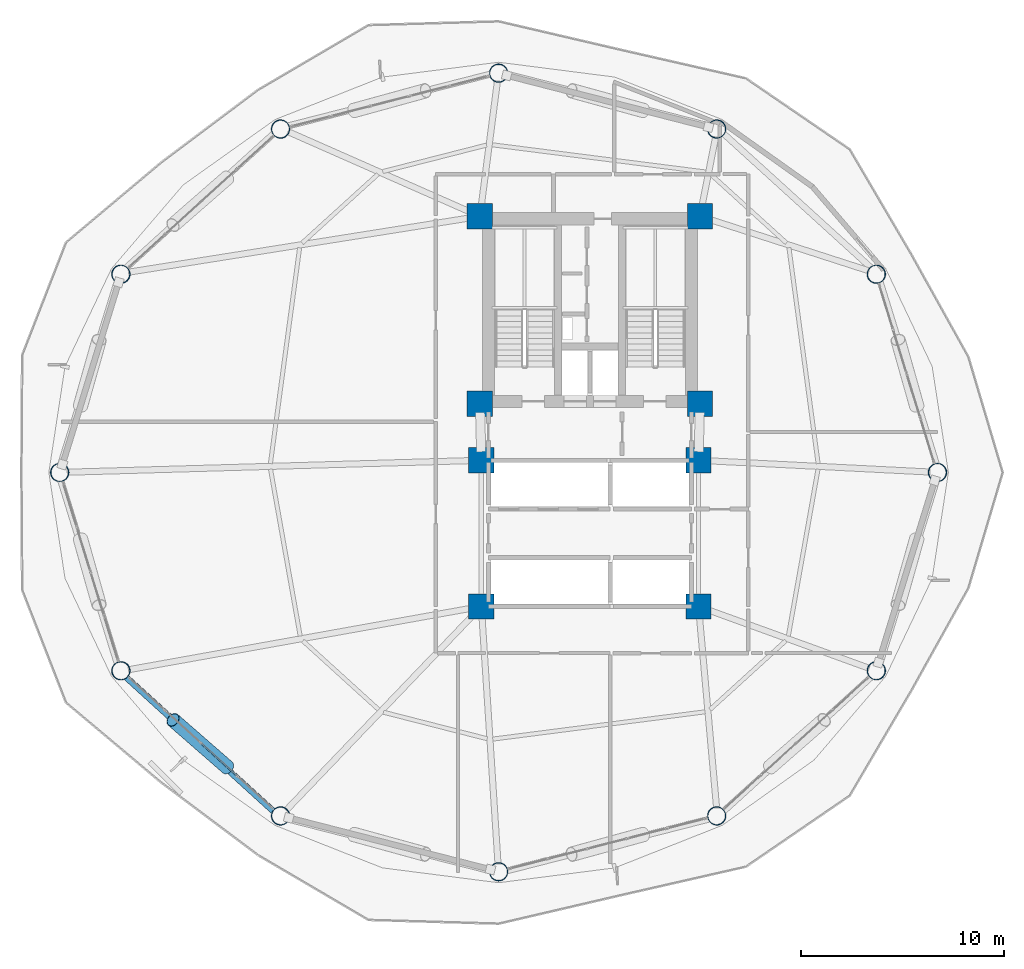
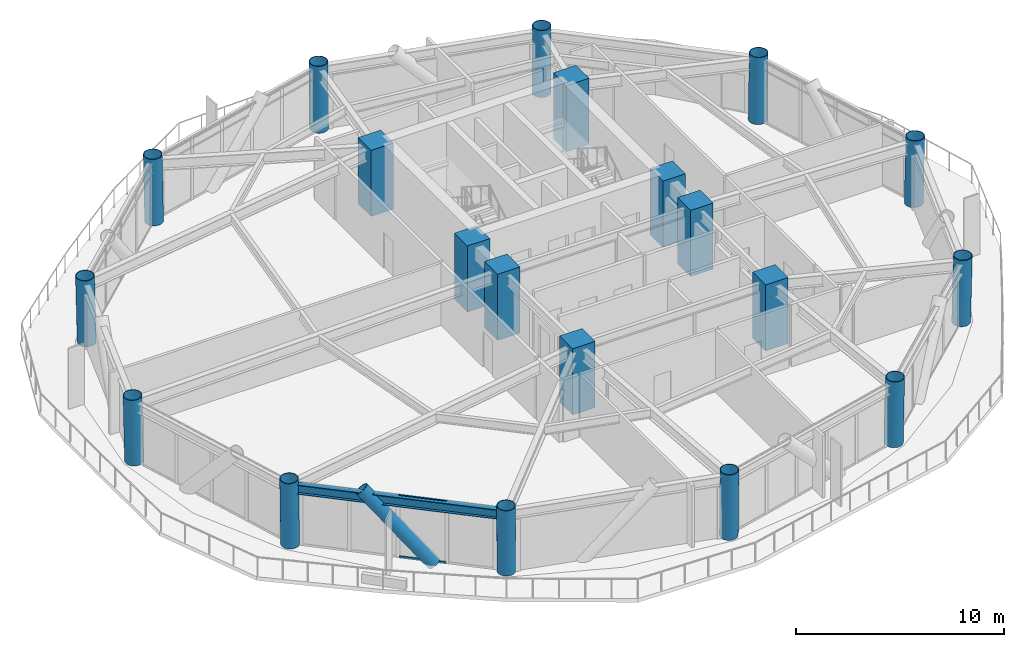
# One storey, part 1 of 22: 20 columns, 3 members, 1 beam, 1 element without a shape of its own.
"""IFC4 building model written with IfcOpenShell, lengths in metres."""

from ifc_helpers import new_model, si_unit, direction, frame, origin, origin_2d, place, context, subcontext, project, spatial, rectangle, hollow_rectangle, hollow_circle, i_section, extrude, material, layer, layer_set, material_profile, profile_set, type_object, element, aggregate, save


model = new_model("IFC4")

# Units and contexts
model_context = context("Model", 3, precision=1e-05, world=origin(), true_north=direction((0.0, 1.0)))
body_context = subcontext(model_context, "Body", "Model", "MODEL_VIEW")
ifc_project = project(units=[si_unit("LENGTHUNIT", "METRE"), si_unit("AREAUNIT", "SQUARE_METRE"), si_unit("VOLUMEUNIT", "CUBIC_METRE"), si_unit("PLANEANGLEUNIT", "RADIAN"), si_unit("MASSUNIT", "GRAM", prefix="KILO")], contexts=[model_context])

# Site, building, storey
site_placement = place(None, origin())
site = spatial("IfcSite", under=ifc_project, at=site_placement, CompositionType="ELEMENT")
building_placement = place(site_placement, origin())
building = spatial("IfcBuilding", under=site, at=building_placement, Name="Varnakorn Sky Granary", CompositionType="ELEMENT")
storey_placement = place(building_placement, frame((0.0, 0.0, 66.60009765625)))
storey = spatial("IfcBuildingStorey", under=building, at=storey_placement, Name="L16", CompositionType="ELEMENT", Elevation=66.60009765625)

# Columns
ifc_material_1 = material(Name="Steel S460M", Category="steel")
ifc_material_profile_1 = material_profile(ifc_material_1, hollow_circle(Radius=0.45703125, WallThickness=0.031982421875, at=origin_2d()), Name="CHS 914x32")
ifc_profile_set_1 = profile_set([ifc_material_profile_1], Name="Steel S460M")
column_type_1 = type_object("IfcColumnType", Name="COL-DC-Z1", PredefinedType="COLUMN", material=ifc_profile_set_1)
column_1_placement = place(storey_placement, frame((20.10888671875, 0.0, 0.0), z_axis=(0.021983093597, 0.0, 0.999758342599), x_axis=(0.0, 1.0, 0.0)))
element("IfcColumn", 1, at=column_1_placement, inside=storey, type_object=column_type_1, Name="Drum Perimeter Column DC01 L16", PredefinedType="COLUMN", context=body_context, shape_type="SweptSolid", body=[
    extrude(hollow_circle(Radius=0.45703125, WallThickness=0.031982421875, at=origin_2d()), origin(), (0.0, 0.0, 1.0), 3.8759765625),
])
for number, where, z_axis, x_axis, name in (
    (2, (17.096923828125, 9.763427734375, 0.0), (0.019023055664, 0.008692654575, 0.99978125663), (-0.415617405126, 0.909539538754, 0.0), "Drum Perimeter Column DC02 L16"),
    (3, (9.237060546875, 16.910888671875, 0.0), (0.010960810874, 0.014992373494, 0.999827529808), (-0.807266811826, 0.590186660747, 0.0), "Drum Perimeter Column DC03 L16"),
):
    element("IfcColumn", number, at=place(storey_placement, frame(where, z_axis=z_axis, x_axis=x_axis)), inside=storey, type_object=column_type_1, Name=name, PredefinedType="COLUMN", context=body_context, shape_type="SweptSolid", body=[
        extrude(hollow_circle(Radius=0.45703125, WallThickness=0.031982421875, at=origin_2d()), origin(), (0.0, 0.0, 1.0), 3.875732421875),
    ])
column_2_placement = place(storey_placement, frame((-1.5, 19.662109375, 0.0), z_axis=(0.0, 0.017260533083, 0.999851025902), x_axis=(-1.0, 0.0, 0.0)))
element("IfcColumn", 4, at=column_2_placement, inside=storey, type_object=column_type_1, Name="Drum Perimeter Column DC04 L16", PredefinedType="COLUMN", context=body_context, shape_type="SweptSolid", body=[
    extrude(hollow_circle(Radius=0.45703125, WallThickness=0.031982421875, at=origin_2d()), origin(), (0.0, 0.0, 1.0), 3.87548828125),
])
for number, where, z_axis, x_axis, name in (
    (5, (-12.237060546875, 16.910888671875, 0.0), (-0.010960810874, 0.014992373494, 0.999827529808), (-0.807266811826, -0.590186660747, 0.0), "Drum Perimeter Column DC05 L16"),
    (6, (-20.096923828125, 9.763427734375, 0.0), (-0.019023055664, 0.008692654575, 0.99978125663), (-0.415617405126, -0.909539538754, 0.0), "Drum Perimeter Column DC06 L16"),
):
    element("IfcColumn", number, at=place(storey_placement, frame(where, z_axis=z_axis, x_axis=x_axis)), inside=storey, type_object=column_type_1, Name=name, PredefinedType="COLUMN", context=body_context, shape_type="SweptSolid", body=[
        extrude(hollow_circle(Radius=0.45703125, WallThickness=0.031982421875, at=origin_2d()), origin(), (0.0, 0.0, 1.0), 3.875732421875),
    ])
column_3_placement = place(storey_placement, frame((-23.10888671875, 0.0, 0.0), z_axis=(-0.021983093597, 0.0, 0.999758342599), x_axis=(0.0, -1.0, 0.0)))
element("IfcColumn", 7, at=column_3_placement, inside=storey, type_object=column_type_1, Name="Drum Perimeter Column DC07 L16", PredefinedType="COLUMN", context=body_context, shape_type="SweptSolid", body=[
    extrude(hollow_circle(Radius=0.45703125, WallThickness=0.031982421875, at=origin_2d()), origin(), (0.0, 0.0, 1.0), 3.8759765625),
])
for number, where, z_axis, x_axis, name in (
    (8, (-20.096923828125, -9.763427734375, 0.0), (-0.019023055664, -0.008692654575, 0.99978125663), (0.415617405126, -0.909539538754, 0.0), "Drum Perimeter Column DC08 L16"),
    (9, (-12.237060546875, -16.910888671875, 0.0), (-0.010960810874, -0.014992373494, 0.999827529808), (0.807266811826, -0.590186660747, 0.0), "Drum Perimeter Column DC09 L16"),
):
    element("IfcColumn", number, at=place(storey_placement, frame(where, z_axis=z_axis, x_axis=x_axis)), inside=storey, type_object=column_type_1, Name=name, PredefinedType="COLUMN", context=body_context, shape_type="SweptSolid", body=[
        extrude(hollow_circle(Radius=0.45703125, WallThickness=0.031982421875, at=origin_2d()), origin(), (0.0, 0.0, 1.0), 3.875732421875),
    ])
column_4_placement = place(storey_placement, frame((-1.5, -19.662109375, 0.0), z_axis=(0.0, -0.017260533083, 0.999851025902), x_axis=(1.0, 0.0, 0.0)))
element("IfcColumn", 10, at=column_4_placement, inside=storey, type_object=column_type_1, Name="Drum Perimeter Column DC10 L16", PredefinedType="COLUMN", context=body_context, shape_type="SweptSolid", body=[
    extrude(hollow_circle(Radius=0.45703125, WallThickness=0.031982421875, at=origin_2d()), origin(), (0.0, 0.0, 1.0), 3.87548828125),
])
for number, where, z_axis, x_axis, name in (
    (11, (9.237060546875, -16.910888671875, 0.0), (0.010960810874, -0.014992373494, 0.999827529808), (0.807266811826, 0.590186660747, 0.0), "Drum Perimeter Column DC11 L16"),
    (12, (17.096923828125, -9.763427734375, 0.0), (0.019023055664, -0.008692654575, 0.99978125663), (0.415617405126, 0.909539538754, 0.0), "Drum Perimeter Column DC12 L16"),
):
    element("IfcColumn", number, at=place(storey_placement, frame(where, z_axis=z_axis, x_axis=x_axis)), inside=storey, type_object=column_type_1, Name=name, PredefinedType="COLUMN", context=body_context, shape_type="SweptSolid", body=[
        extrude(hollow_circle(Radius=0.45703125, WallThickness=0.031982421875, at=origin_2d()), origin(), (0.0, 0.0, 1.0), 3.875732421875),
    ])
ifc_material_2 = material(Name="Concrete C60/75", Category="concrete")
ifc_material_profile_2 = material_profile(ifc_material_2, rectangle(XDim=1.25, YDim=1.25, at=origin_2d()), Name="RC 1250x1250")
ifc_profile_set_2 = profile_set([ifc_material_profile_2], Name="Concrete C60/75")
column_type_2 = type_object("IfcColumnType", Name="COL-MC-Z1", PredefinedType="COLUMN", material=ifc_profile_set_2)
for number, where, z_axis, x_axis, name in (
    (13, (-2.419921875, 12.6201171875, 0.0), (0.0, 0.0, 1.0), (1.0, 0.0, 0.0), "Backbone Mega-Column MC1 L16"),
    (14, (8.419921875, 12.6201171875, 0.0), (0.0, 0.0, 1.0), (1.0, 0.0, 0.0), "Backbone Mega-Column MC2 L16"),
    (15, (-2.419921875, 3.3798828125, 0.0), (0.0, 0.0, 1.0), (1.0, 0.0, 0.0), "Backbone Mega-Column MC3 L16"),
    (16, (8.419921875, 3.3798828125, 0.0), (0.0, 0.0, 1.0), (1.0, 0.0, 0.0), "Backbone Mega-Column MC4 L16"),
    (17, (-2.35009765625, 0.60009765625, 0.0), (0.0, 0.0, 1.0), (1.0, 0.0, 0.0), "Backbone Mega-Column MC5 L16"),
    (18, (8.35009765625, 0.60009765625, 0.0), (0.0, 0.0, 1.0), (1.0, 0.0, 0.0), "Backbone Mega-Column MC6 L16"),
    (19, (-2.35009765625, -6.60009765625, 0.0), (0.0, 0.0, 1.0), (1.0, 0.0, 0.0), "Backbone Mega-Column MC7 L16"),
    (20, (8.35009765625, -6.60009765625, 0.0), (0.0, 0.0, 1.0), (1.0, 0.0, 0.0), "Backbone Mega-Column MC8 L16"),
):
    element("IfcColumn", number, at=place(storey_placement, frame(where, z_axis=z_axis, x_axis=x_axis)), inside=storey, type_object=column_type_2, Name=name, PredefinedType="COLUMN", context=body_context, shape_type="SweptSolid", body=[
        extrude(rectangle(XDim=1.25, YDim=1.25, at=origin_2d()), origin(), (0.0, 0.0, 1.0), 3.875),
    ])

# Beam
ifc_material_3 = material(Name="Steel S355JR", Category="steel")
ifc_material_profile_3 = material_profile(ifc_material_3, i_section(OverallWidth=0.300048828125, OverallDepth=0.550048828125, WebThickness=0.014892578125, FlangeThickness=0.029052734375, at=origin_2d()), Name="HE 550 B")
ifc_profile_set_3 = profile_set([ifc_material_profile_3], Name="Steel S355JR")
beam_type = type_object("IfcBeamType", Name="BM-SPD-Z1", PredefinedType="SPANDREL", material=ifc_profile_set_3)
beam_placement = place(storey_placement, frame((-19.843505859375, -10.09423828125, 3.364990234375), z_axis=(0.740018014029, -0.67258704932, 0.0), x_axis=(0.67258704932, 0.740018014029, 0.0)))
element("IfcBeam", 21, at=beam_placement, inside=storey, type_object=beam_type, Name="Perimeter Spandrel Ring Beam RB08 L16", PredefinedType="SPANDREL", context=body_context, shape_type="SweptSolid", body=[
    extrude(i_section(OverallWidth=0.300048828125, OverallDepth=0.550048828125, WebThickness=0.014892578125, FlangeThickness=0.029052734375, at=origin_2d()), origin(), (0.0, 0.0, 1.0), 9.779296875),
])

# Curtain wall, members
ifc_material_4 = material(Name="Anodised Bronze Aluminium Alloy 6063-T6", Category="aluminium")
ifc_layer = layer(ifc_material_4, 0.18994140625, Name="Anodised Bronze Aluminium Alloy 6063-T6")
ifc_layer_set = layer_set([ifc_layer], Name="Anodised Bronze Aluminium Alloy 6063-T6")
curtain_wall_type = type_object("IfcCurtainWallType", Name="CW-FRM-1", PredefinedType="USERDEFINED", material=ifc_layer_set)
curtain_wall_placement = place(storey_placement, origin())
curtain_wall = element("IfcCurtainWall", 22, at=curtain_wall_placement, inside=storey, type_object=curtain_wall_type, Name="Unitised Curtain Wall CW3 CW-L16-B08", ObjectType="CURTAIN WALL", PredefinedType="USERDEFINED")
ifc_material_profile_4 = material_profile(ifc_material_4, hollow_rectangle(XDim=0.070068359375, YDim=0.139892578125, WallThickness=0.00341796875, at=origin_2d()), Name="ALU TRAN 70x140")
ifc_profile_set_4 = profile_set([ifc_material_profile_4], Name="Anodised Bronze Aluminium Alloy 6063-T6")
member_type_1 = type_object("IfcMemberType", Name="CW-FRM-1-TRAN", PredefinedType="USERDEFINED", material=ifc_profile_set_4)
member_1_placement = place(storey_placement, frame((-14.419189453125, -14.926513671875, 0.034912109375), z_axis=(-0.739878362844, 0.672740669349, 0.0), x_axis=(-0.672740669349, -0.739878362844, 0.0)))
member_1 = element("IfcMember", 23, at=member_1_placement, type_object=member_type_1, Name="CW3 transom 2.1", ObjectType="TRANSOM", PredefinedType="USERDEFINED", context=body_context, shape_type="SweptSolid", body=[
    extrude(hollow_rectangle(XDim=0.070068359375, YDim=0.139892578125, WallThickness=0.00341796875, at=origin_2d()), origin(), (0.0, 0.0, 1.0), 2.327392578125),
])
member_2_placement = place(storey_placement, frame((-14.419189453125, -14.926513671875, 3.60498046875), z_axis=(-0.739878362844, 0.672740669349, 0.0), x_axis=(-0.672740669349, -0.739878362844, 0.0)))
member_2 = element("IfcMember", 24, at=member_2_placement, type_object=member_type_1, Name="CW3 transom 2.2", ObjectType="TRANSOM", PredefinedType="USERDEFINED", context=body_context, shape_type="SweptSolid", body=[
    extrude(hollow_rectangle(XDim=0.070068359375, YDim=0.139892578125, WallThickness=0.00341796875, at=origin_2d()), origin(), (0.0, 0.0, 1.0), 2.327392578125),
])
aggregate(curtain_wall, [member_1, member_2])

# Member
ifc_material_profile_5 = material_profile(ifc_material_1, hollow_circle(Radius=0.35546875, WallThickness=0.02490234375, at=origin_2d()), Name="CHS 711x25")
ifc_profile_set_5 = profile_set([ifc_material_profile_5], Name="Steel S460M")
member_type_2 = type_object("IfcMemberType", Name="MB-DIAG-T0", PredefinedType="BRACE", material=ifc_profile_set_5)
member_3_placement = place(storey_placement, frame((-14.85693359375, -14.5283203125, -0.130126953125), z_axis=(-0.506693054437, 0.442013739054, 0.740193220093), x_axis=(-0.657372893903, -0.753565443981, 0.0)))
element("IfcMember", 25, at=member_3_placement, inside=storey, type_object=member_type_2, Name="Perimeter CHS Diagrid Brace DG08 L16", PredefinedType="BRACE", context=body_context, shape_type="SweptSolid", body=[
    extrude(hollow_circle(Radius=0.35546875, WallThickness=0.02490234375, at=origin_2d()), origin(), (0.0, 0.0, 1.0), 5.2958984375),
])

save(model, "model.ifc")
